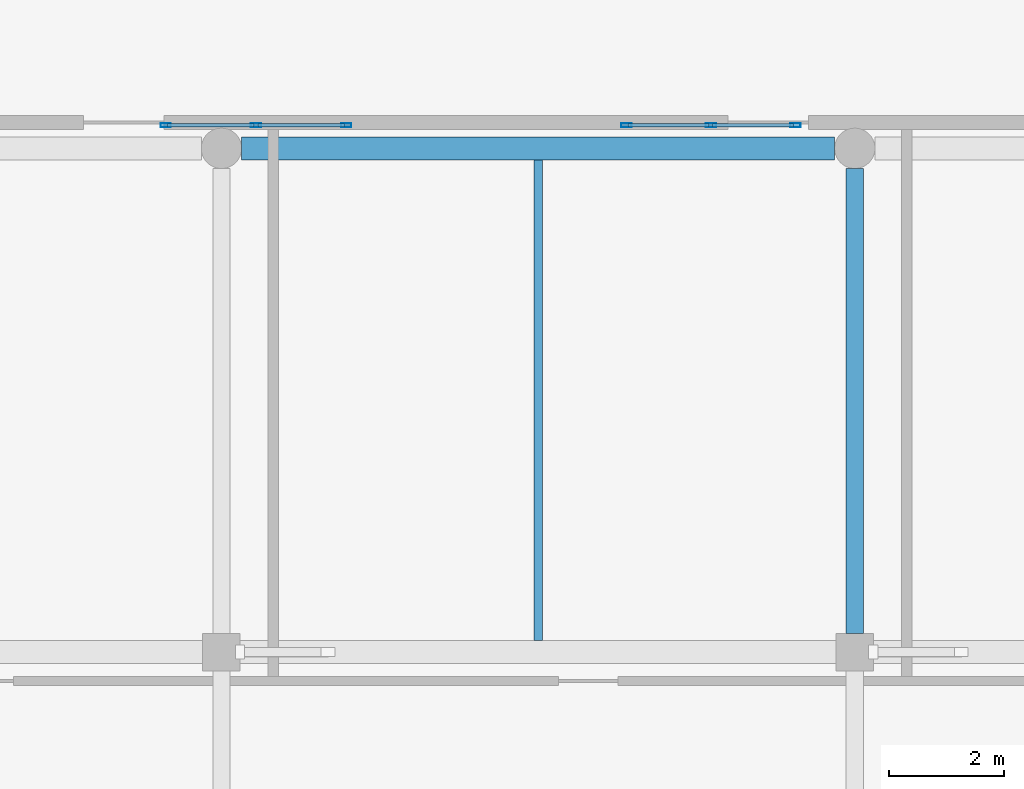
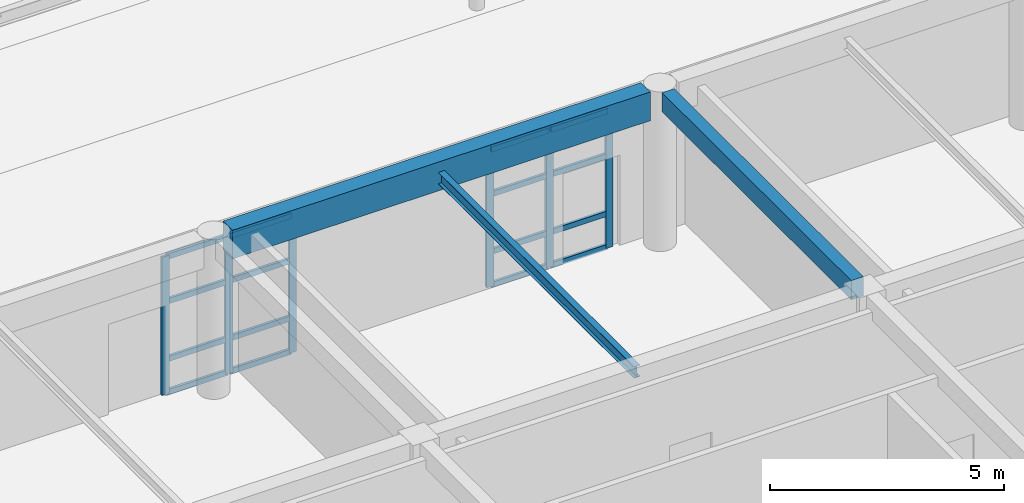
# One storey, part 46 of 114: 22 members, 3 beams, 2 elements without a shape of their own.
"""IFC4 building model written with IfcOpenShell, lengths in metres."""

from ifc_helpers import new_model, si_unit, direction, frame, origin, origin_2d, place, context, subcontext, project, spatial, rectangle, hollow_rectangle, i_section, extrude, material, layer, layer_set, material_profile, profile_set, type_object, element, aggregate, save


model = new_model("IFC4")

# Units and contexts
model_context = context("Model", 3, precision=1e-05, world=origin(), true_north=direction((0.0, 1.0)))
body_context = subcontext(model_context, "Body", "Model", "MODEL_VIEW")
ifc_project = project(units=[si_unit("LENGTHUNIT", "METRE"), si_unit("AREAUNIT", "SQUARE_METRE"), si_unit("VOLUMEUNIT", "CUBIC_METRE"), si_unit("PLANEANGLEUNIT", "RADIAN"), si_unit("MASSUNIT", "GRAM", prefix="KILO")], contexts=[model_context])

# Site, building, storey
site_placement = place(None, origin())
site = spatial("IfcSite", under=ifc_project, at=site_placement, CompositionType="ELEMENT")
building_placement = place(site_placement, origin())
building = spatial("IfcBuilding", under=site, at=building_placement, Name="Keldmere Railside Commons", CompositionType="ELEMENT")
storey_placement = place(building_placement, origin())
storey = spatial("IfcBuildingStorey", under=building, at=storey_placement, Name="L00", CompositionType="ELEMENT", Elevation=0.0)

# Beam
ifc_material_1 = material(Name="Concrete H-35 (C35/45)", Category="concrete")
ifc_material_profile_1 = material_profile(ifc_material_1, rectangle(XDim=0.39990234375, YDim=0.75, at=origin_2d()), Name="RC-400x750")
ifc_profile_set_1 = profile_set([ifc_material_profile_1], Name="Concrete H-35 (C35/45)")
beam_type_1 = type_object("IfcBeamType", Name="Civic Frame RC Girder 400x750", PredefinedType="BEAM", material=ifc_profile_set_1)
beam_1_placement = place(storey_placement, frame((148.35009765625, 39.550048828125, 3.784912109375), z_axis=(1.0, 0.0, 0.0), x_axis=(0.0, 1.0, 0.0)))
element("IfcBeam", 1, at=beam_1_placement, inside=storey, type_object=beam_type_1, Name="BG-2 BM-L00-0455", PredefinedType="BEAM", context=body_context, shape_type="SweptSolid", body=[
    extrude(rectangle(XDim=0.39990234375, YDim=0.75, at=origin_2d()), origin(), (0.0, 0.0, 1.0), 10.2998046875),
])

# Curtain wall, members
ifc_material_2 = material(Name="Thermally Broken Aluminium", Category="aluminium")
ifc_layer_1 = layer(ifc_material_2, 0.159912109375, Name="Street Retail Shopfront CW 3200x3600")
ifc_layer_set_1 = layer_set([ifc_layer_1], Name="Thermally Broken Aluminium")
curtain_wall_type_1 = type_object("IfcCurtainWallType", Name="Street Retail Shopfront CW 3200x3600", PredefinedType="NOTDEFINED", material=ifc_layer_set_1)
curtain_wall_1_placement = place(storey_placement, origin())
curtain_wall_1 = element("IfcCurtainWall", 2, at=curtain_wall_1_placement, inside=storey, type_object=curtain_wall_type_1, Name="CW-16 CW-L00-215", PredefinedType="NOTDEFINED")
ifc_material_profile_2 = material_profile(ifc_material_2, hollow_rectangle(XDim=0.06494140625, YDim=0.179931640625, WallThickness=0.00390625, at=origin_2d()), Name="ALU-MULL-65x180")
ifc_profile_set_2 = profile_set([ifc_material_profile_2], Name="Thermally Broken Aluminium")
member_type_1 = type_object("IfcMemberType", Name="Civic Tall Curtain Wall Mullion 65x180", PredefinedType="MULLION", material=ifc_profile_set_2)
member_1_placement = place(storey_placement, frame((147.032470703125, 39.949951171875, 0.0), z_axis=(0.0, 0.0, 1.0), x_axis=(0.0, 1.0, 0.0)))
member_1 = element("IfcMember", 3, at=member_1_placement, type_object=member_type_1, Name="CW-16 mullion 1", PredefinedType="MULLION", context=body_context, shape_type="SweptSolid", body=[
    extrude(hollow_rectangle(XDim=0.06494140625, YDim=0.179931640625, WallThickness=0.00390625, at=origin_2d()), origin(), (0.0, 0.0, 1.0), 3.60009765625),
])
member_2_placement = place(storey_placement, frame((148.60009765625, 39.949951171875, 0.0), z_axis=(0.0, 0.0, 1.0), x_axis=(0.0, 1.0, 0.0)))
member_2 = element("IfcMember", 4, at=member_2_placement, type_object=member_type_1, Name="CW-16 mullion 2", PredefinedType="MULLION", context=body_context, shape_type="SweptSolid", body=[
    extrude(hollow_rectangle(XDim=0.06494140625, YDim=0.179931640625, WallThickness=0.00390625, at=origin_2d()), origin(), (0.0, 0.0, 1.0), 3.60009765625),
])
member_3_placement = place(storey_placement, frame((150.16748046875, 39.949951171875, 0.0), z_axis=(0.0, 0.0, 1.0), x_axis=(0.0, 1.0, 0.0)))
member_3 = element("IfcMember", 5, at=member_3_placement, type_object=member_type_1, Name="CW-16 mullion 3", PredefinedType="MULLION", context=body_context, shape_type="SweptSolid", body=[
    extrude(hollow_rectangle(XDim=0.06494140625, YDim=0.179931640625, WallThickness=0.00390625, at=origin_2d()), origin(), (0.0, 0.0, 1.0), 3.60009765625),
])

ifc_layer_2 = layer(ifc_material_2, 0.159912109375, Name="Cafe Drum Faceted CW 3000x3600")
ifc_layer_set_2 = layer_set([ifc_layer_2], Name="Thermally Broken Aluminium")
curtain_wall_type_2 = type_object("IfcCurtainWallType", Name="Cafe Drum Faceted CW 3000x3600", PredefinedType="NOTDEFINED", material=ifc_layer_set_2)
curtain_wall_2_placement = place(storey_placement, origin())
curtain_wall_2 = element("IfcCurtainWall", 6, at=curtain_wall_2_placement, inside=storey, type_object=curtain_wall_type_2, Name="CW-17 CW-L00-216", PredefinedType="NOTDEFINED")
member_4_placement = place(storey_placement, frame((155.032470703125, 39.949951171875, 0.0), z_axis=(0.0, 0.0, 1.0), x_axis=(0.0, 1.0, 0.0)))
member_4 = element("IfcMember", 7, at=member_4_placement, type_object=member_type_1, Name="CW-17 mullion 1", PredefinedType="MULLION", context=body_context, shape_type="SweptSolid", body=[
    extrude(hollow_rectangle(XDim=0.06494140625, YDim=0.179931640625, WallThickness=0.00390625, at=origin_2d()), origin(), (0.0, 0.0, 1.0), 3.60009765625),
])
member_5_placement = place(storey_placement, frame((156.5, 39.949951171875, 0.0), z_axis=(0.0, 0.0, 1.0), x_axis=(0.0, 1.0, 0.0)))
member_5 = element("IfcMember", 8, at=member_5_placement, type_object=member_type_1, Name="CW-17 mullion 2", PredefinedType="MULLION", context=body_context, shape_type="SweptSolid", body=[
    extrude(hollow_rectangle(XDim=0.06494140625, YDim=0.179931640625, WallThickness=0.00390625, at=origin_2d()), origin(), (0.0, 0.0, 1.0), 3.60009765625),
])
member_6_placement = place(storey_placement, frame((157.967529296875, 39.949951171875, 0.0), z_axis=(0.0, 0.0, 1.0), x_axis=(0.0, 1.0, 0.0)))
member_6 = element("IfcMember", 9, at=member_6_placement, type_object=member_type_1, Name="CW-17 mullion 3", PredefinedType="MULLION", context=body_context, shape_type="SweptSolid", body=[
    extrude(hollow_rectangle(XDim=0.06494140625, YDim=0.179931640625, WallThickness=0.00390625, at=origin_2d()), origin(), (0.0, 0.0, 1.0), 3.60009765625),
])

# Member
ifc_material_profile_3 = material_profile(ifc_material_2, hollow_rectangle(XDim=0.06494140625, YDim=0.139892578125, WallThickness=0.00390625, at=origin_2d()), Name="ALU-TRAN-65x140")
ifc_profile_set_3 = profile_set([ifc_material_profile_3], Name="Thermally Broken Aluminium")
member_type_2 = type_object("IfcMemberType", Name="Civic Tall Curtain Wall Transom 65x140", PredefinedType="USERDEFINED", material=ifc_profile_set_3)
member_7_placement = place(storey_placement, frame((147.06494140625, 39.949951171875, 0.032470703125), z_axis=(1.0, 0.0, 0.0), x_axis=(0.0, 1.0, 0.0)))
member_7 = element("IfcMember", 10, at=member_7_placement, type_object=member_type_2, Name="CW-16 transom 1.1", ObjectType="TRANSOM", PredefinedType="USERDEFINED", context=body_context, shape_type="SweptSolid", body=[
    extrude(hollow_rectangle(XDim=0.06494140625, YDim=0.139892578125, WallThickness=0.00390625, at=origin_2d()), origin(), (0.0, 0.0, 1.0), 1.50244140625),
])

member_8_placement = place(storey_placement, frame((147.06494140625, 39.949951171875, 0.89990234375), z_axis=(1.0, 0.0, 0.0), x_axis=(0.0, 1.0, 0.0)))
member_8 = element("IfcMember", 11, at=member_8_placement, type_object=member_type_2, Name="CW-16 transom 1.2", ObjectType="TRANSOM", PredefinedType="USERDEFINED", context=body_context, shape_type="SweptSolid", body=[
    extrude(hollow_rectangle(XDim=0.06494140625, YDim=0.139892578125, WallThickness=0.00390625, at=origin_2d()), origin(), (0.0, 0.0, 1.0), 1.50244140625),
])

member_9_placement = place(storey_placement, frame((147.06494140625, 39.949951171875, 2.39990234375), z_axis=(1.0, 0.0, 0.0), x_axis=(0.0, 1.0, 0.0)))
member_9 = element("IfcMember", 12, at=member_9_placement, type_object=member_type_2, Name="CW-16 transom 1.3", ObjectType="TRANSOM", PredefinedType="USERDEFINED", context=body_context, shape_type="SweptSolid", body=[
    extrude(hollow_rectangle(XDim=0.06494140625, YDim=0.139892578125, WallThickness=0.00390625, at=origin_2d()), origin(), (0.0, 0.0, 1.0), 1.50244140625),
])

member_10_placement = place(storey_placement, frame((147.06494140625, 39.949951171875, 3.5673828125), z_axis=(1.0, 0.0, 0.0), x_axis=(0.0, 1.0, 0.0)))
member_10 = element("IfcMember", 13, at=member_10_placement, type_object=member_type_2, Name="CW-16 transom 1.4", ObjectType="TRANSOM", PredefinedType="USERDEFINED", context=body_context, shape_type="SweptSolid", body=[
    extrude(hollow_rectangle(XDim=0.06494140625, YDim=0.139892578125, WallThickness=0.00390625, at=origin_2d()), origin(), (0.0, 0.0, 1.0), 1.50244140625),
])

member_11_placement = place(storey_placement, frame((148.632568359375, 39.949951171875, 0.032470703125), z_axis=(1.0, 0.0, 0.0), x_axis=(0.0, 1.0, 0.0)))
member_11 = element("IfcMember", 14, at=member_11_placement, type_object=member_type_2, Name="CW-16 transom 2.1", ObjectType="TRANSOM", PredefinedType="USERDEFINED", context=body_context, shape_type="SweptSolid", body=[
    extrude(hollow_rectangle(XDim=0.06494140625, YDim=0.139892578125, WallThickness=0.00390625, at=origin_2d()), origin(), (0.0, 0.0, 1.0), 1.50244140625),
])

member_12_placement = place(storey_placement, frame((148.632568359375, 39.949951171875, 0.89990234375), z_axis=(1.0, 0.0, 0.0), x_axis=(0.0, 1.0, 0.0)))
member_12 = element("IfcMember", 15, at=member_12_placement, type_object=member_type_2, Name="CW-16 transom 2.2", ObjectType="TRANSOM", PredefinedType="USERDEFINED", context=body_context, shape_type="SweptSolid", body=[
    extrude(hollow_rectangle(XDim=0.06494140625, YDim=0.139892578125, WallThickness=0.00390625, at=origin_2d()), origin(), (0.0, 0.0, 1.0), 1.50244140625),
])

member_13_placement = place(storey_placement, frame((148.632568359375, 39.949951171875, 2.39990234375), z_axis=(1.0, 0.0, 0.0), x_axis=(0.0, 1.0, 0.0)))
member_13 = element("IfcMember", 16, at=member_13_placement, type_object=member_type_2, Name="CW-16 transom 2.3", ObjectType="TRANSOM", PredefinedType="USERDEFINED", context=body_context, shape_type="SweptSolid", body=[
    extrude(hollow_rectangle(XDim=0.06494140625, YDim=0.139892578125, WallThickness=0.00390625, at=origin_2d()), origin(), (0.0, 0.0, 1.0), 1.50244140625),
])

member_14_placement = place(storey_placement, frame((148.632568359375, 39.949951171875, 3.5673828125), z_axis=(1.0, 0.0, 0.0), x_axis=(0.0, 1.0, 0.0)))
member_14 = element("IfcMember", 17, at=member_14_placement, type_object=member_type_2, Name="CW-16 transom 2.4", ObjectType="TRANSOM", PredefinedType="USERDEFINED", context=body_context, shape_type="SweptSolid", body=[
    extrude(hollow_rectangle(XDim=0.06494140625, YDim=0.139892578125, WallThickness=0.00390625, at=origin_2d()), origin(), (0.0, 0.0, 1.0), 1.50244140625),
])

aggregate(curtain_wall_1, [member_1, member_2, member_3, member_7, member_8, member_9, member_10, member_11, member_12, member_13, member_14])

member_15_placement = place(storey_placement, frame((155.06494140625, 39.949951171875, 0.032470703125), z_axis=(1.0, 0.0, 0.0), x_axis=(0.0, 1.0, 0.0)))
member_15 = element("IfcMember", 18, at=member_15_placement, type_object=member_type_2, Name="CW-17 transom 1.1", ObjectType="TRANSOM", PredefinedType="USERDEFINED", context=body_context, shape_type="SweptSolid", body=[
    extrude(hollow_rectangle(XDim=0.06494140625, YDim=0.139892578125, WallThickness=0.00390625, at=origin_2d()), origin(), (0.0, 0.0, 1.0), 1.402587890625),
])

member_16_placement = place(storey_placement, frame((155.06494140625, 39.949951171875, 0.89990234375), z_axis=(1.0, 0.0, 0.0), x_axis=(0.0, 1.0, 0.0)))
member_16 = element("IfcMember", 19, at=member_16_placement, type_object=member_type_2, Name="CW-17 transom 1.2", ObjectType="TRANSOM", PredefinedType="USERDEFINED", context=body_context, shape_type="SweptSolid", body=[
    extrude(hollow_rectangle(XDim=0.06494140625, YDim=0.139892578125, WallThickness=0.00390625, at=origin_2d()), origin(), (0.0, 0.0, 1.0), 1.402587890625),
])

member_17_placement = place(storey_placement, frame((155.06494140625, 39.949951171875, 2.39990234375), z_axis=(1.0, 0.0, 0.0), x_axis=(0.0, 1.0, 0.0)))
member_17 = element("IfcMember", 20, at=member_17_placement, type_object=member_type_2, Name="CW-17 transom 1.3", ObjectType="TRANSOM", PredefinedType="USERDEFINED", context=body_context, shape_type="SweptSolid", body=[
    extrude(hollow_rectangle(XDim=0.06494140625, YDim=0.139892578125, WallThickness=0.00390625, at=origin_2d()), origin(), (0.0, 0.0, 1.0), 1.402587890625),
])

member_18_placement = place(storey_placement, frame((155.06494140625, 39.949951171875, 3.5673828125), z_axis=(1.0, 0.0, 0.0), x_axis=(0.0, 1.0, 0.0)))
member_18 = element("IfcMember", 21, at=member_18_placement, type_object=member_type_2, Name="CW-17 transom 1.4", ObjectType="TRANSOM", PredefinedType="USERDEFINED", context=body_context, shape_type="SweptSolid", body=[
    extrude(hollow_rectangle(XDim=0.06494140625, YDim=0.139892578125, WallThickness=0.00390625, at=origin_2d()), origin(), (0.0, 0.0, 1.0), 1.402587890625),
])

member_19_placement = place(storey_placement, frame((156.532470703125, 39.949951171875, 0.032470703125), z_axis=(1.0, 0.0, 0.0), x_axis=(0.0, 1.0, 0.0)))
member_19 = element("IfcMember", 22, at=member_19_placement, type_object=member_type_2, Name="CW-17 transom 2.1", ObjectType="TRANSOM", PredefinedType="USERDEFINED", context=body_context, shape_type="SweptSolid", body=[
    extrude(hollow_rectangle(XDim=0.06494140625, YDim=0.139892578125, WallThickness=0.00390625, at=origin_2d()), origin(), (0.0, 0.0, 1.0), 1.402587890625),
])

member_20_placement = place(storey_placement, frame((156.532470703125, 39.949951171875, 0.89990234375), z_axis=(1.0, 0.0, 0.0), x_axis=(0.0, 1.0, 0.0)))
member_20 = element("IfcMember", 23, at=member_20_placement, type_object=member_type_2, Name="CW-17 transom 2.2", ObjectType="TRANSOM", PredefinedType="USERDEFINED", context=body_context, shape_type="SweptSolid", body=[
    extrude(hollow_rectangle(XDim=0.06494140625, YDim=0.139892578125, WallThickness=0.00390625, at=origin_2d()), origin(), (0.0, 0.0, 1.0), 1.402587890625),
])

member_21_placement = place(storey_placement, frame((156.532470703125, 39.949951171875, 2.39990234375), z_axis=(1.0, 0.0, 0.0), x_axis=(0.0, 1.0, 0.0)))
member_21 = element("IfcMember", 24, at=member_21_placement, type_object=member_type_2, Name="CW-17 transom 2.3", ObjectType="TRANSOM", PredefinedType="USERDEFINED", context=body_context, shape_type="SweptSolid", body=[
    extrude(hollow_rectangle(XDim=0.06494140625, YDim=0.139892578125, WallThickness=0.00390625, at=origin_2d()), origin(), (0.0, 0.0, 1.0), 1.402587890625),
])

member_22_placement = place(storey_placement, frame((156.532470703125, 39.949951171875, 3.5673828125), z_axis=(1.0, 0.0, 0.0), x_axis=(0.0, 1.0, 0.0)))
member_22 = element("IfcMember", 25, at=member_22_placement, type_object=member_type_2, Name="CW-17 transom 2.4", ObjectType="TRANSOM", PredefinedType="USERDEFINED", context=body_context, shape_type="SweptSolid", body=[
    extrude(hollow_rectangle(XDim=0.06494140625, YDim=0.139892578125, WallThickness=0.00390625, at=origin_2d()), origin(), (0.0, 0.0, 1.0), 1.402587890625),
])

aggregate(curtain_wall_2, [member_4, member_5, member_6, member_15, member_16, member_17, member_18, member_19, member_20, member_21, member_22])

# Beams
ifc_material_3 = material(Name="Steel F-36 (S355)", Category="steel")
ifc_material_profile_4 = material_profile(ifc_material_3, i_section(OverallWidth=0.14990234375, OverallDepth=0.300048828125, WebThickness=0.007080078125, FlangeThickness=0.0107421875, at=origin_2d()), Name="IPE-300")
ifc_profile_set_4 = profile_set([ifc_material_profile_4], Name="Steel F-36 (S355)")
beam_type_2 = type_object("IfcBeamType", Name="Podium & Arcade Steel Joist IPE300", PredefinedType="JOIST", material=ifc_profile_set_4)
beam_2_placement = place(storey_placement, frame((153.5, 31.0, 3.739990234375), z_axis=(0.0, 1.0, 0.0), x_axis=(-1.0, 0.0, 0.0)))
element("IfcBeam", 26, at=beam_2_placement, inside=storey, type_object=beam_type_2, Name="JST-1 BM-L00-0688", PredefinedType="JOIST", context=body_context, shape_type="SweptSolid", body=[
    extrude(i_section(OverallWidth=0.14990234375, OverallDepth=0.300048828125, WebThickness=0.007080078125, FlangeThickness=0.0107421875, at=origin_2d()), origin(), (0.0, 0.0, 1.0), 8.35009765625),
])
ifc_material_4 = material(Name="Concrete H-30 (C30/37)", Category="concrete")
ifc_material_profile_5 = material_profile(ifc_material_4, rectangle(XDim=0.300048828125, YDim=0.5, at=origin_2d()), Name="RC-300x500")
ifc_profile_set_5 = profile_set([ifc_material_profile_5], Name="Concrete H-30 (C30/37)")
beam_type_3 = type_object("IfcBeamType", Name="Secondary Frame RC Beam 300x500", PredefinedType="BEAM", material=ifc_profile_set_5)
beam_3_placement = place(storey_placement, frame((159.0, 31.125, 3.909912109375), z_axis=(0.0, 1.0, 0.0), x_axis=(-1.0, 0.0, 0.0)))
element("IfcBeam", 27, at=beam_3_placement, inside=storey, type_object=beam_type_3, Name="BG-5 BM-L00-0647", PredefinedType="BEAM", context=body_context, shape_type="SweptSolid", body=[
    extrude(rectangle(XDim=0.300048828125, YDim=0.5, at=origin_2d()), origin(), (0.0, 0.0, 1.0), 8.074951171875),
])

save(model, "model.ifc")
